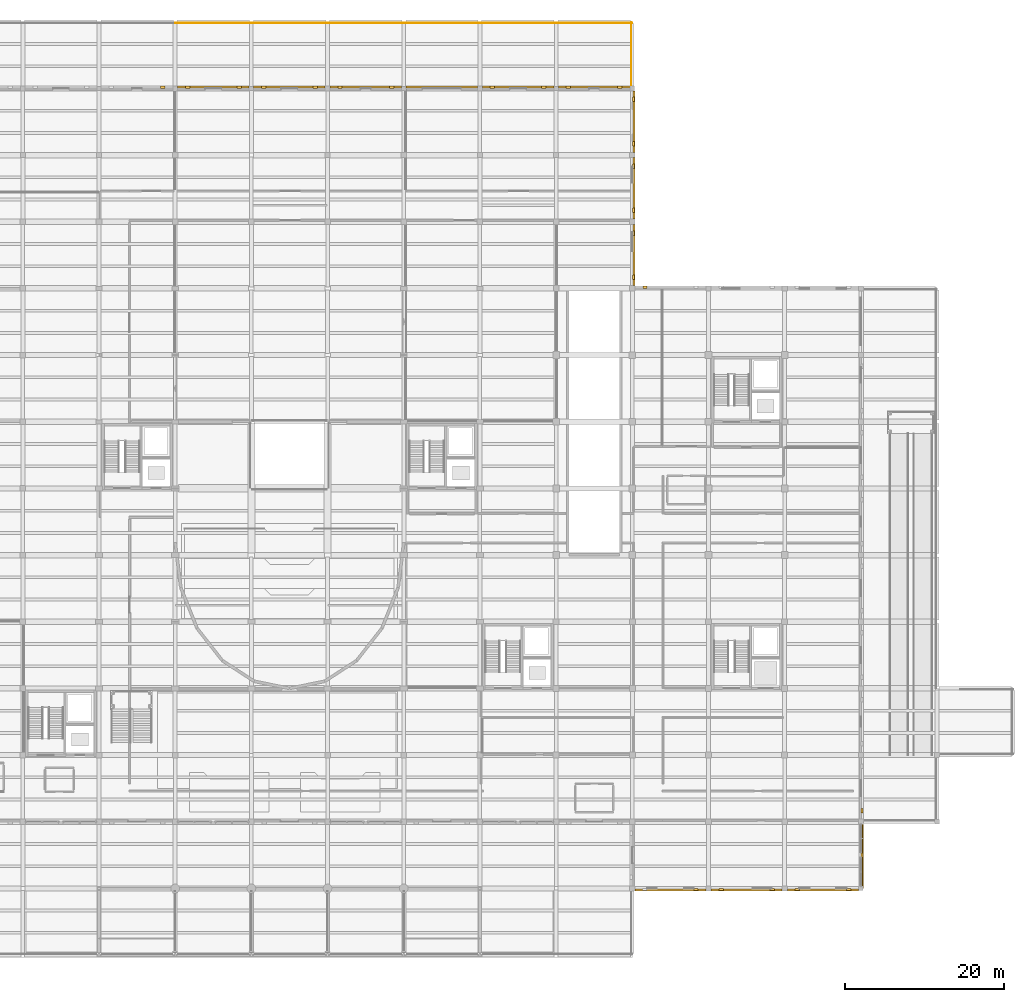
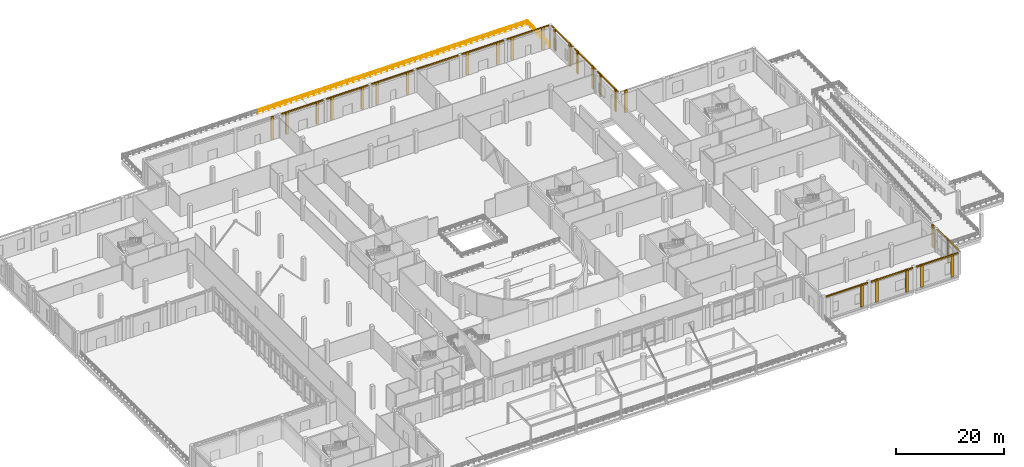
# One storey, part 67 of 71: 38 coverings, 7 railings.
"""IFC4 building model written with IfcOpenShell, lengths in metres."""

from ifc_helpers import new_model, si_unit, direction, frame, origin, origin_2d, place, context, subcontext, project, spatial, polyline, circle, outline, extrude, material, layer, layer_set, type_object, element, save


model = new_model("IFC4")

# Units and contexts
model_context = context("Model", 3, precision=1e-05, world=origin(), true_north=direction((0.0, 1.0)))
body_context = subcontext(model_context, "Body", "Model", "MODEL_VIEW")
ifc_project = project(units=[si_unit("LENGTHUNIT", "METRE"), si_unit("AREAUNIT", "SQUARE_METRE"), si_unit("VOLUMEUNIT", "CUBIC_METRE"), si_unit("PLANEANGLEUNIT", "RADIAN"), si_unit("MASSUNIT", "GRAM", prefix="KILO")], contexts=[model_context])

# Site, building, storey
site_placement = place(None, origin())
site = spatial("IfcSite", under=ifc_project, at=site_placement, CompositionType="ELEMENT")
building_placement = place(site_placement, origin())
building = spatial("IfcBuilding", under=site, at=building_placement, Name="Lornevale Opera House", CompositionType="ELEMENT")
storey_placement = place(building_placement, origin())
storey = spatial("IfcBuildingStorey", under=building, at=storey_placement, Name="L01", CompositionType="ELEMENT", Elevation=0.0)

# Coverings
ifc_material_1 = material(Name="Precast Concrete 40 MPa (CSA A23.1 C-1)", Category="concrete")
ifc_layer_1 = layer(ifc_material_1, 0.260009765625)
ifc_layer_set_1 = layer_set([ifc_layer_1], Name="Precast Concrete 40 MPa (CSA A23.1 C-1)")
covering_type_1 = type_object("IfcCoveringType", Name="Postmodern Sandstone Pilaster Rib", PredefinedType="CLADDING", material=ifc_layer_set_1)
covering_1_placement = place(storey_placement, origin())
element("IfcCovering", 1, at=covering_1_placement, inside=storey, type_object=covering_type_1, Name="Postmodern Sandstone Pilaster 0098", PredefinedType="CLADDING", context=body_context, shape_type="SweptSolid", body=[
    extrude(outline(polyline([(65.35595703125, 109.199951171875), (65.916015625, 109.199951171875), (65.916015625, 109.47998046875), (65.35595703125, 109.47998046875), (65.35595703125, 109.199951171875)])), origin(), (0.0, 0.0, 1.0), 5.02001953125),
])
covering_2_placement = place(storey_placement, origin())
element("IfcCovering", 2, at=covering_2_placement, inside=storey, type_object=covering_type_1, Name="Postmodern Sandstone Pilaster 0102", PredefinedType="CLADDING", context=body_context, shape_type="SweptSolid", body=[
    extrude(outline(polyline([(68.48291015625, 109.199951171875), (69.04296875, 109.199951171875), (69.04296875, 109.47998046875), (68.48291015625, 109.47998046875), (68.48291015625, 109.199951171875)])), origin(), (0.0, 0.0, 1.0), 5.02001953125),
])
covering_3_placement = place(storey_placement, origin())
element("IfcCovering", 3, at=covering_3_placement, inside=storey, type_object=covering_type_1, Name="Postmodern Sandstone Pilaster 0103", PredefinedType="CLADDING", context=body_context, shape_type="SweptSolid", body=[
    extrude(outline(polyline([(74.98095703125, 109.199951171875), (75.541015625, 109.199951171875), (75.541015625, 109.47998046875), (74.98095703125, 109.47998046875), (74.98095703125, 109.199951171875)])), origin(), (0.0, 0.0, 1.0), 5.02001953125),
])
covering_4_placement = place(storey_placement, origin())
element("IfcCovering", 4, at=covering_4_placement, inside=storey, type_object=covering_type_1, Name="Postmodern Sandstone Pilaster 0108", PredefinedType="CLADDING", context=body_context, shape_type="SweptSolid", body=[
    extrude(outline(polyline([(78.05908203125, 109.199951171875), (78.618896484375, 109.199951171875), (78.618896484375, 109.47998046875), (78.05908203125, 109.47998046875), (78.05908203125, 109.199951171875)])), origin(), (0.0, 0.0, 1.0), 5.02001953125),
])
covering_5_placement = place(storey_placement, origin())
element("IfcCovering", 5, at=covering_5_placement, inside=storey, type_object=covering_type_1, Name="Postmodern Sandstone Pilaster 0109", PredefinedType="CLADDING", context=body_context, shape_type="SweptSolid", body=[
    extrude(outline(polyline([(84.556884765625, 109.199951171875), (85.116943359375, 109.199951171875), (85.116943359375, 109.47998046875), (84.556884765625, 109.47998046875), (84.556884765625, 109.199951171875)])), origin(), (0.0, 0.0, 1.0), 5.02001953125),
])
covering_6_placement = place(storey_placement, origin())
element("IfcCovering", 6, at=covering_6_placement, inside=storey, type_object=covering_type_1, Name="Postmodern Sandstone Pilaster 0113", PredefinedType="CLADDING", context=body_context, shape_type="SweptSolid", body=[
    extrude(outline(polyline([(87.68310546875, 109.199951171875), (88.242919921875, 109.199951171875), (88.242919921875, 109.47998046875), (87.68310546875, 109.47998046875), (87.68310546875, 109.199951171875)])), origin(), (0.0, 0.0, 1.0), 5.02001953125),
])
covering_7_placement = place(storey_placement, origin())
element("IfcCovering", 7, at=covering_7_placement, inside=storey, type_object=covering_type_1, Name="Postmodern Sandstone Pilaster 0114", PredefinedType="CLADDING", context=body_context, shape_type="SweptSolid", body=[
    extrude(outline(polyline([(94.181884765625, 109.199951171875), (94.741943359375, 109.199951171875), (94.741943359375, 109.47998046875), (94.181884765625, 109.47998046875), (94.181884765625, 109.199951171875)])), origin(), (0.0, 0.0, 1.0), 5.02001953125),
])
covering_8_placement = place(storey_placement, origin())
element("IfcCovering", 8, at=covering_8_placement, inside=storey, type_object=covering_type_1, Name="Postmodern Sandstone Pilaster 0122", PredefinedType="CLADDING", context=body_context, shape_type="SweptSolid", body=[
    extrude(outline(polyline([(106.884033203125, 109.199951171875), (107.444091796875, 109.199951171875), (107.444091796875, 109.47998046875), (106.884033203125, 109.47998046875), (106.884033203125, 109.199951171875)])), origin(), (0.0, 0.0, 1.0), 5.02001953125),
])
covering_9_placement = place(storey_placement, origin())
element("IfcCovering", 9, at=covering_9_placement, inside=storey, type_object=covering_type_1, Name="Postmodern Sandstone Pilaster 0123", PredefinedType="CLADDING", context=body_context, shape_type="SweptSolid", body=[
    extrude(outline(polyline([(113.382080078125, 109.199951171875), (113.94189453125, 109.199951171875), (113.94189453125, 109.47998046875), (113.382080078125, 109.47998046875), (113.382080078125, 109.199951171875)])), origin(), (0.0, 0.0, 1.0), 5.02001953125),
])
covering_10_placement = place(storey_placement, origin())
element("IfcCovering", 10, at=covering_10_placement, inside=storey, type_object=covering_type_1, Name="Postmodern Sandstone Pilaster 0128", PredefinedType="CLADDING", context=body_context, shape_type="SweptSolid", body=[
    extrude(outline(polyline([(124.800048828125, 91.251953125), (124.800048828125, 90.69189453125), (125.080078125, 90.69189453125), (125.080078125, 91.251953125), (124.800048828125, 91.251953125)])), origin(), (0.0, 0.0, 1.0), 5.02001953125),
])
covering_11_placement = place(storey_placement, origin())
element("IfcCovering", 11, at=covering_11_placement, inside=storey, type_object=covering_type_1, Name="Postmodern Sandstone Pilaster 0129", PredefinedType="CLADDING", context=body_context, shape_type="SweptSolid", body=[
    extrude(outline(polyline([(124.800048828125, 85.7080078125), (124.800048828125, 85.14794921875), (125.080078125, 85.14794921875), (125.080078125, 85.7080078125), (124.800048828125, 85.7080078125)])), origin(), (0.0, 0.0, 1.0), 5.02001953125),
])
covering_12_placement = place(storey_placement, origin())
element("IfcCovering", 12, at=covering_12_placement, inside=storey, type_object=covering_type_1, Name="Postmodern Sandstone Pilaster 0131", PredefinedType="CLADDING", context=body_context, shape_type="SweptSolid", body=[
    extrude(outline(polyline([(124.800048828125, 99.673095703125), (124.800048828125, 99.113037109375), (125.080078125, 99.113037109375), (125.080078125, 99.673095703125), (124.800048828125, 99.673095703125)])), origin(), (0.0, 0.0, 1.0), 5.02001953125),
])
covering_13_placement = place(storey_placement, origin())
element("IfcCovering", 13, at=covering_13_placement, inside=storey, type_object=covering_type_1, Name="Postmodern Sandstone Pilaster 0132", PredefinedType="CLADDING", context=body_context, shape_type="SweptSolid", body=[
    extrude(outline(polyline([(124.800048828125, 94.112060546875), (124.800048828125, 93.552001953125), (125.080078125, 93.552001953125), (125.080078125, 94.112060546875), (124.800048828125, 94.112060546875)])), origin(), (0.0, 0.0, 1.0), 5.02001953125),
])
covering_14_placement = place(storey_placement, origin())
element("IfcCovering", 14, at=covering_14_placement, inside=storey, type_object=covering_type_1, Name="Postmodern Sandstone Pilaster 0134", PredefinedType="CLADDING", context=body_context, shape_type="SweptSolid", body=[
    extrude(outline(polyline([(116.4580078125, 109.199951171875), (117.01806640625, 109.199951171875), (117.01806640625, 109.47998046875), (116.4580078125, 109.47998046875), (116.4580078125, 109.199951171875)])), origin(), (0.0, 0.0, 1.0), 5.02001953125),
])
covering_15_placement = place(storey_placement, origin())
element("IfcCovering", 15, at=covering_15_placement, inside=storey, type_object=covering_type_1, Name="Postmodern Sandstone Pilaster 0135", PredefinedType="CLADDING", context=body_context, shape_type="SweptSolid", body=[
    extrude(outline(polyline([(122.9560546875, 109.199951171875), (123.51611328125, 109.199951171875), (123.51611328125, 109.47998046875), (122.9560546875, 109.47998046875), (122.9560546875, 109.199951171875)])), origin(), (0.0, 0.0, 1.0), 5.02001953125),
])
covering_16_placement = place(storey_placement, origin())
element("IfcCovering", 16, at=covering_16_placement, inside=storey, type_object=covering_type_1, Name="Postmodern Sandstone Pilaster 0137", PredefinedType="CLADDING", context=body_context, shape_type="SweptSolid", body=[
    extrude(outline(polyline([(124.800048828125, 108.092041015625), (124.800048828125, 107.531982421875), (125.080078125, 107.531982421875), (125.080078125, 108.092041015625), (124.800048828125, 108.092041015625)])), origin(), (0.0, 0.0, 1.0), 5.02001953125),
])
covering_17_placement = place(storey_placement, origin())
element("IfcCovering", 17, at=covering_17_placement, inside=storey, type_object=covering_type_1, Name="Postmodern Sandstone Pilaster 0138", PredefinedType="CLADDING", context=body_context, shape_type="SweptSolid", body=[
    extrude(outline(polyline([(124.800048828125, 102.492919921875), (124.800048828125, 101.93310546875), (125.080078125, 101.93310546875), (125.080078125, 102.492919921875), (124.800048828125, 102.492919921875)])), origin(), (0.0, 0.0, 1.0), 5.02001953125),
])
covering_18_placement = place(storey_placement, origin())
element("IfcCovering", 18, at=covering_18_placement, inside=storey, type_object=covering_type_1, Name="Postmodern Sandstone Pilaster 0140", PredefinedType="CLADDING", context=body_context, shape_type="SweptSolid", body=[
    extrude(outline(polyline([(133.10205078125, 8.39990234375), (132.5419921875, 8.39990234375), (132.5419921875, 8.1201171875), (133.10205078125, 8.1201171875), (133.10205078125, 8.39990234375)])), origin(), (0.0, 0.0, 1.0), 5.10009765625),
])
covering_19_placement = place(storey_placement, origin())
element("IfcCovering", 19, at=covering_19_placement, inside=storey, type_object=covering_type_1, Name="Postmodern Sandstone Pilaster 0146", PredefinedType="CLADDING", context=body_context, shape_type="SweptSolid", body=[
    extrude(outline(polyline([(126.1201171875, 84.0), (126.679931640625, 84.0), (126.679931640625, 84.280029296875), (126.1201171875, 84.280029296875), (126.1201171875, 84.0)])), origin(), (0.0, 0.0, 1.0), 5.02001953125),
])
covering_20_placement = place(storey_placement, origin())
element("IfcCovering", 20, at=covering_20_placement, inside=storey, type_object=covering_type_1, Name="Postmodern Sandstone Pilaster 0149", PredefinedType="CLADDING", context=body_context, shape_type="SweptSolid", body=[
    extrude(outline(polyline([(142.701904296875, 8.39990234375), (142.14208984375, 8.39990234375), (142.14208984375, 8.1201171875), (142.701904296875, 8.1201171875), (142.701904296875, 8.39990234375)])), origin(), (0.0, 0.0, 1.0), 5.10009765625),
])
covering_21_placement = place(storey_placement, origin())
element("IfcCovering", 21, at=covering_21_placement, inside=storey, type_object=covering_type_1, Name="Postmodern Sandstone Pilaster 0150", PredefinedType="CLADDING", context=body_context, shape_type="SweptSolid", body=[
    extrude(outline(polyline([(136.258056640625, 8.39990234375), (135.697998046875, 8.39990234375), (135.697998046875, 8.1201171875), (136.258056640625, 8.1201171875), (136.258056640625, 8.39990234375)])), origin(), (0.0, 0.0, 1.0), 5.10009765625),
])
covering_22_placement = place(storey_placement, origin())
element("IfcCovering", 22, at=covering_22_placement, inside=storey, type_object=covering_type_1, Name="Postmodern Sandstone Pilaster 0155", PredefinedType="CLADDING", context=body_context, shape_type="SweptSolid", body=[
    extrude(outline(polyline([(152.344970703125, 8.39990234375), (151.784912109375, 8.39990234375), (151.784912109375, 8.1201171875), (152.344970703125, 8.1201171875), (152.344970703125, 8.39990234375)])), origin(), (0.0, 0.0, 1.0), 5.10009765625),
])
covering_23_placement = place(storey_placement, origin())
element("IfcCovering", 23, at=covering_23_placement, inside=storey, type_object=covering_type_1, Name="Postmodern Sandstone Pilaster 0156", PredefinedType="CLADDING", context=body_context, shape_type="SweptSolid", body=[
    extrude(outline(polyline([(145.864990234375, 8.39990234375), (145.304931640625, 8.39990234375), (145.304931640625, 8.1201171875), (145.864990234375, 8.1201171875), (145.864990234375, 8.39990234375)])), origin(), (0.0, 0.0, 1.0), 5.10009765625),
])
covering_24_placement = place(storey_placement, origin())
element("IfcCovering", 24, at=covering_24_placement, inside=storey, type_object=covering_type_1, Name="Postmodern Sandstone Mullion Pier 0158", PredefinedType="CLADDING", context=body_context, shape_type="SweptSolid", body=[
    extrude(outline(polyline([(153.60009765625, 12.8798828125), (153.60009765625, 12.320068359375), (153.8798828125, 12.320068359375), (153.8798828125, 12.8798828125), (153.60009765625, 12.8798828125)])), origin(), (0.0, 0.0, 1.0), 5.10009765625),
])
covering_25_placement = place(storey_placement, origin())
element("IfcCovering", 25, at=covering_25_placement, inside=storey, type_object=covering_type_1, Name="Postmodern Sandstone Pilaster 0161", PredefinedType="CLADDING", context=body_context, shape_type="SweptSolid", body=[
    extrude(outline(polyline([(153.60009765625, 18.489990234375), (153.60009765625, 17.929931640625), (153.8798828125, 17.929931640625), (153.8798828125, 18.489990234375), (153.60009765625, 18.489990234375)])), origin(), (0.0, 0.0, 1.0), 5.10009765625),
])
ifc_material_2 = material(Name="Queenston Buff Limestone Ashlar Masonry (25 MPa)", Category="masonry")
ifc_layer_2 = layer(ifc_material_2, 0.1201171875)
ifc_layer_set_2 = layer_set([ifc_layer_2], Name="Queenston Buff Limestone Ashlar Masonry (25 MPa)")
covering_type_2 = type_object("IfcCoveringType", Name="Precast Limestone Cornice Band", PredefinedType="CLADDING", material=ifc_layer_set_2)
covering_26_placement = place(storey_placement, frame((0.0, 0.0, 4.739990234375)))
element("IfcCovering", 26, at=covering_26_placement, inside=storey, type_object=covering_type_2, Name="Precast Limestone Cornice Band 0104", PredefinedType="CLADDING", context=body_context, shape_type="SweptSolid", body=[
    extrude(outline(polyline([(67.5, 109.260009765625), (76.52490234375, 109.260009765625), (76.52490234375, 109.52001953125), (67.5, 109.52001953125), (67.5, 109.260009765625)])), origin(), (0.0, 0.0, 1.0), 0.280029296875),
])
covering_27_placement = place(storey_placement, frame((0.0, 0.0, 4.739990234375)))
element("IfcCovering", 27, at=covering_27_placement, inside=storey, type_object=covering_type_2, Name="Precast Limestone Cornice Band 0110", PredefinedType="CLADDING", context=body_context, shape_type="SweptSolid", body=[
    extrude(outline(polyline([(77.074951171875, 109.260009765625), (86.10009765625, 109.260009765625), (86.10009765625, 109.52001953125), (77.074951171875, 109.52001953125), (77.074951171875, 109.260009765625)])), origin(), (0.0, 0.0, 1.0), 0.280029296875),
])
covering_28_placement = place(storey_placement, frame((0.0, 0.0, 4.739990234375)))
element("IfcCovering", 28, at=covering_28_placement, inside=storey, type_object=covering_type_2, Name="Precast Limestone Cornice Band 0115", PredefinedType="CLADDING", context=body_context, shape_type="SweptSolid", body=[
    extrude(outline(polyline([(86.699951171875, 109.260009765625), (95.72509765625, 109.260009765625), (95.72509765625, 109.52001953125), (86.699951171875, 109.52001953125), (86.699951171875, 109.260009765625)])), origin(), (0.0, 0.0, 1.0), 0.280029296875),
])
covering_29_placement = place(storey_placement, frame((0.0, 0.0, 4.739990234375)))
element("IfcCovering", 29, at=covering_29_placement, inside=storey, type_object=covering_type_2, Name="Precast Limestone Cornice Band 0119", PredefinedType="CLADDING", context=body_context, shape_type="SweptSolid", body=[
    extrude(outline(polyline([(96.27490234375, 109.260009765625), (105.300048828125, 109.260009765625), (105.300048828125, 109.52001953125), (96.27490234375, 109.52001953125), (96.27490234375, 109.260009765625)])), origin(), (0.0, 0.0, 1.0), 0.280029296875),
])
covering_30_placement = place(storey_placement, frame((0.0, 0.0, 4.739990234375)))
element("IfcCovering", 30, at=covering_30_placement, inside=storey, type_object=covering_type_2, Name="Precast Limestone Cornice Band 0124", PredefinedType="CLADDING", context=body_context, shape_type="SweptSolid", body=[
    extrude(outline(polyline([(105.89990234375, 109.260009765625), (114.925048828125, 109.260009765625), (114.925048828125, 109.52001953125), (105.89990234375, 109.52001953125), (105.89990234375, 109.260009765625)])), origin(), (0.0, 0.0, 1.0), 0.280029296875),
])
covering_31_placement = place(storey_placement, frame((0.0, 0.0, 4.739990234375)))
element("IfcCovering", 31, at=covering_31_placement, inside=storey, type_object=covering_type_2, Name="Precast Limestone Cornice Band 0130", PredefinedType="CLADDING", context=body_context, shape_type="SweptSolid", body=[
    extrude(outline(polyline([(124.860107421875, 92.050048828125), (124.860107421875, 84.35009765625), (125.1201171875, 84.35009765625), (125.1201171875, 92.050048828125), (124.860107421875, 92.050048828125)])), origin(), (0.0, 0.0, 1.0), 0.280029296875),
])
covering_32_placement = place(storey_placement, frame((0.0, 0.0, 4.739990234375)))
element("IfcCovering", 32, at=covering_32_placement, inside=storey, type_object=covering_type_2, Name="Precast Limestone Cornice Band 0133", PredefinedType="CLADDING", context=body_context, shape_type="SweptSolid", body=[
    extrude(outline(polyline([(124.860107421875, 100.47509765625), (124.860107421875, 92.75), (125.1201171875, 92.75), (125.1201171875, 100.47509765625), (124.860107421875, 100.47509765625)])), origin(), (0.0, 0.0, 1.0), 0.280029296875),
])
covering_33_placement = place(storey_placement, frame((0.0, 0.0, 4.739990234375)))
element("IfcCovering", 33, at=covering_33_placement, inside=storey, type_object=covering_type_2, Name="Precast Limestone Cornice Band 0136", PredefinedType="CLADDING", context=body_context, shape_type="SweptSolid", body=[
    extrude(outline(polyline([(115.47509765625, 109.260009765625), (124.5, 109.260009765625), (124.5, 109.52001953125), (115.47509765625, 109.52001953125), (115.47509765625, 109.260009765625)])), origin(), (0.0, 0.0, 1.0), 0.280029296875),
])
covering_34_placement = place(storey_placement, frame((0.0, 0.0, 4.739990234375)))
element("IfcCovering", 34, at=covering_34_placement, inside=storey, type_object=covering_type_2, Name="Precast Limestone Cornice Band 0139", PredefinedType="CLADDING", context=body_context, shape_type="SweptSolid", body=[
    extrude(outline(polyline([(124.860107421875, 108.89990234375), (124.860107421875, 101.125), (125.1201171875, 101.125), (125.1201171875, 108.89990234375), (124.860107421875, 108.89990234375)])), origin(), (0.0, 0.0, 1.0), 0.280029296875),
])
covering_35_placement = place(storey_placement, frame((0.0, 0.0, 4.820068359375)))
element("IfcCovering", 35, at=covering_35_placement, inside=storey, type_object=covering_type_2, Name="Precast Limestone Cornice Band 0142", PredefinedType="CLADDING", context=body_context, shape_type="SweptSolid", body=[
    extrude(outline(polyline([(134.074951171875, 8.340087890625), (125.125, 8.340087890625), (125.125, 8.080078125), (134.074951171875, 8.080078125), (134.074951171875, 8.340087890625)])), origin(), (0.0, 0.0, 1.0), 0.280029296875),
])
covering_36_placement = place(storey_placement, frame((0.0, 0.0, 4.820068359375)))
element("IfcCovering", 36, at=covering_36_placement, inside=storey, type_object=covering_type_2, Name="Precast Limestone Cornice Band 0151", PredefinedType="CLADDING", context=body_context, shape_type="SweptSolid", body=[
    extrude(outline(polyline([(143.675048828125, 8.340087890625), (134.72509765625, 8.340087890625), (134.72509765625, 8.080078125), (143.675048828125, 8.080078125), (143.675048828125, 8.340087890625)])), origin(), (0.0, 0.0, 1.0), 0.280029296875),
])
covering_37_placement = place(storey_placement, frame((0.0, 0.0, 4.820068359375)))
element("IfcCovering", 37, at=covering_37_placement, inside=storey, type_object=covering_type_2, Name="Precast Limestone Cornice Band 0157", PredefinedType="CLADDING", context=body_context, shape_type="SweptSolid", body=[
    extrude(outline(polyline([(153.324951171875, 8.340087890625), (144.324951171875, 8.340087890625), (144.324951171875, 8.080078125), (153.324951171875, 8.080078125), (153.324951171875, 8.340087890625)])), origin(), (0.0, 0.0, 1.0), 0.280029296875),
])
covering_38_placement = place(storey_placement, frame((0.0, 0.0, 4.840087890625)))
element("IfcCovering", 38, at=covering_38_placement, inside=storey, type_object=covering_type_2, Name="Precast Limestone Cornice Band 0159", PredefinedType="CLADDING", context=body_context, shape_type="SweptSolid", body=[
    extrude(outline(polyline([(153.679931640625, 16.800048828125), (153.679931640625, 8.39990234375), (153.919921875, 8.39990234375), (153.919921875, 16.800048828125), (153.679931640625, 16.800048828125)])), origin(), (0.0, 0.0, 1.0), 0.260009765625),
])

# Railings
ifc_material_3 = material(Name="Structural Steel CSA G40.21 Grade 350W (350 MPa)", Category="steel")
ifc_layer_3 = layer(ifc_material_3, 0.06005859375)
ifc_layer_set_3 = layer_set([ifc_layer_3], Name="Structural Steel CSA G40.21 Grade 350W (350 MPa)")
railing_type = type_object("IfcRailingType", Name="Terrace Tubular Guardrail 1120", PredefinedType="GUARDRAIL", material=ifc_layer_set_3)
for number, where, name in (
    (39, (67.25, 117.4599609375, 0.0), "Terrace Perimeter Guard L01 0272"),
    (40, (76.85009765625, 117.4599609375, 0.0), "Terrace Perimeter Guard L01 0274"),
    (41, (86.449951171875, 117.4599609375, 0.0), "Terrace Perimeter Guard L01 0276"),
    (42, (96.050048828125, 117.4599609375, 0.0), "Terrace Perimeter Guard L01 0278"),
    (43, (105.64990234375, 117.4599609375, 0.0), "Terrace Perimeter Guard L01 0280"),
    (44, (115.25, 117.4599609375, 0.0), "Terrace Perimeter Guard L01 0283"),
):
    element("IfcRailing", number, at=place(storey_placement, frame(where)), inside=storey, type_object=railing_type, Name=name, PredefinedType="GUARDRAIL", context=body_context, shape_type="SweptSolid", body=[
        extrude(circle(Radius=0.02392578125, at=origin_2d()), frame((0.0, 0.0, 1.09619140625), z_axis=(1.0, 0.0, 0.0), x_axis=(0.0, 1.0, 0.0)), (0.0, 0.0, 1.0), 9.5),
        extrude(circle(Radius=0.02392578125, at=origin_2d()), frame((0.0, 0.0, 0.56005859375), z_axis=(1.0, 0.0, 0.0), x_axis=(0.0, 1.0, 0.0)), (0.0, 0.0, 1.0), 9.5),
        extrude(circle(Radius=0.02099609375, at=origin_2d()), origin(), (0.0, 0.0, 1.0), 1.072021484375),
        extrude(circle(Radius=0.02099609375, at=origin_2d()), frame((1.1875, 0.0, 0.0)), (0.0, 0.0, 1.0), 1.072021484375),
        extrude(circle(Radius=0.02099609375, at=origin_2d()), frame((2.375, 0.0, 0.0)), (0.0, 0.0, 1.0), 1.072021484375),
        extrude(circle(Radius=0.02099609375, at=origin_2d()), frame((3.5625, 0.0, 0.0)), (0.0, 0.0, 1.0), 1.072021484375),
        extrude(circle(Radius=0.02099609375, at=origin_2d()), frame((4.75, 0.0, 0.0)), (0.0, 0.0, 1.0), 1.072021484375),
        extrude(circle(Radius=0.02099609375, at=origin_2d()), frame((5.9375, 0.0, 0.0)), (0.0, 0.0, 1.0), 1.072021484375),
        extrude(circle(Radius=0.02099609375, at=origin_2d()), frame((7.125, 0.0, 0.0)), (0.0, 0.0, 1.0), 1.072021484375),
        extrude(circle(Radius=0.02099609375, at=origin_2d()), frame((8.3125, 0.0, 0.0)), (0.0, 0.0, 1.0), 1.072021484375),
        extrude(circle(Radius=0.02099609375, at=origin_2d()), frame((9.5, 0.0, 0.0)), (0.0, 0.0, 1.0), 1.072021484375),
    ])
railing_placement = place(storey_placement, frame((124.659912109375, 109.25, 0.0)))
element("IfcRailing", 45, at=railing_placement, inside=storey, type_object=railing_type, Name="Terrace Perimeter Guard L01 0284", PredefinedType="GUARDRAIL", context=body_context, shape_type="SweptSolid", body=[
    extrude(circle(Radius=0.02392578125, at=origin_2d()), frame((0.0, 0.0, 1.09619140625), z_axis=(0.0, 1.0, 0.0), x_axis=(-1.0, 0.0, 0.0)), (0.0, 0.0, 1.0), 8.300048828125),
    extrude(circle(Radius=0.02392578125, at=origin_2d()), frame((0.0, 0.0, 0.56005859375), z_axis=(0.0, 1.0, 0.0), x_axis=(-1.0, 0.0, 0.0)), (0.0, 0.0, 1.0), 8.300048828125),
    extrude(circle(Radius=0.02099609375, at=origin_2d()), origin(), (0.0, 0.0, 1.0), 1.072021484375),
    extrude(circle(Radius=0.02099609375, at=origin_2d()), frame((0.0, 1.185791015625, 0.0)), (0.0, 0.0, 1.0), 1.072021484375),
    extrude(circle(Radius=0.02099609375, at=origin_2d()), frame((0.0, 2.371337890625, 0.0)), (0.0, 0.0, 1.0), 1.072021484375),
    extrude(circle(Radius=0.02099609375, at=origin_2d()), frame((0.0, 3.55712890625, 0.0)), (0.0, 0.0, 1.0), 1.072021484375),
    extrude(circle(Radius=0.02099609375, at=origin_2d()), frame((0.0, 4.742919921875, 0.0)), (0.0, 0.0, 1.0), 1.072021484375),
    extrude(circle(Radius=0.02099609375, at=origin_2d()), frame((0.0, 5.9287109375, 0.0)), (0.0, 0.0, 1.0), 1.072021484375),
    extrude(circle(Radius=0.02099609375, at=origin_2d()), frame((0.0, 7.1142578125, 0.0)), (0.0, 0.0, 1.0), 1.072021484375),
    extrude(circle(Radius=0.02099609375, at=origin_2d()), frame((0.0, 8.300048828125, 0.0)), (0.0, 0.0, 1.0), 1.072021484375),
])

save(model, "model.ifc")
